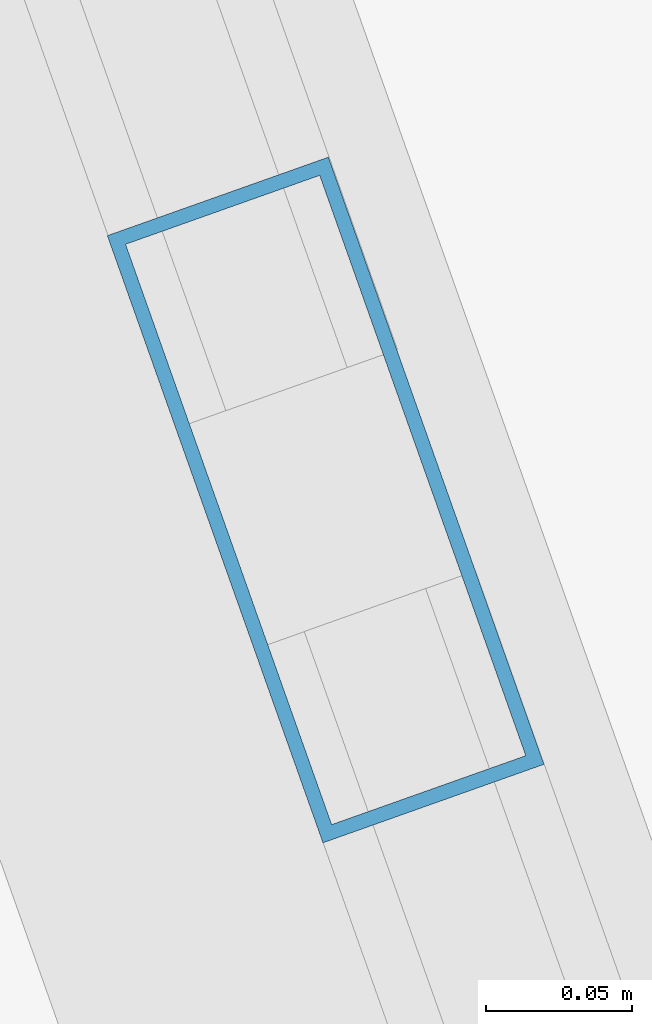
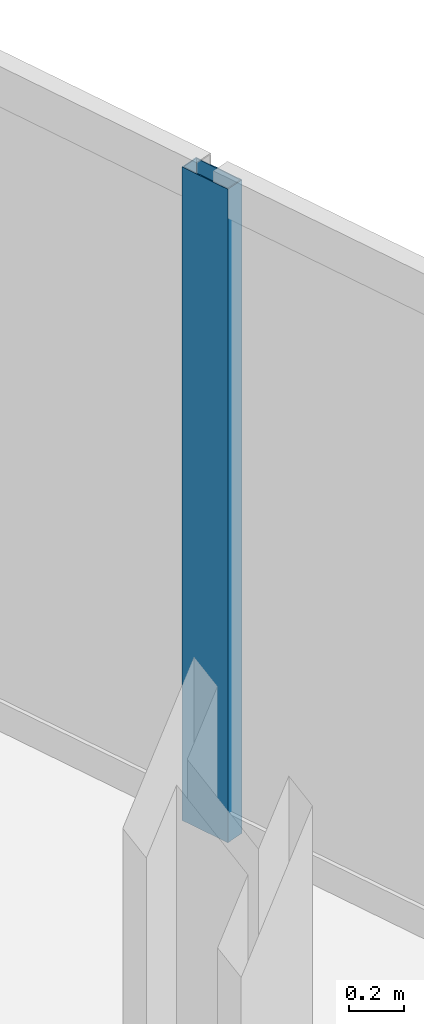
# One storey, part 14 of 33: 1 member, 1 element without a shape of its own.
"""IFC4 building model written with IfcOpenShell, lengths in metres."""

from ifc_helpers import new_model, si_unit, direction, frame, origin, origin_2d, place, context, subcontext, project, spatial, hollow_rectangle, extrude, material, material_profile, profile_set, type_object, element, aggregate, save


model = new_model("IFC4")

# Units and contexts
model_context = context("Model", 3, precision=1e-05, world=origin(), true_north=direction((0.0, 1.0)))
body_context = subcontext(model_context, "Body", "Model", "MODEL_VIEW")
ifc_project = project(units=[si_unit("LENGTHUNIT", "METRE"), si_unit("AREAUNIT", "SQUARE_METRE"), si_unit("VOLUMEUNIT", "CUBIC_METRE"), si_unit("PLANEANGLEUNIT", "RADIAN"), si_unit("MASSUNIT", "GRAM", prefix="KILO")], contexts=[model_context])

# Site, building, storey
site_placement = place(None, origin())
site = spatial("IfcSite", under=ifc_project, at=site_placement, CompositionType="ELEMENT")
building_placement = place(site_placement, origin())
building = spatial("IfcBuilding", under=site, at=building_placement, Name="Haldenkirk Collegiate Tower", CompositionType="ELEMENT")
storey_placement = place(building_placement, frame((0.0, 0.0, 94.199951171875)))
storey = spatial("IfcBuildingStorey", under=building, at=storey_placement, Name="L22", CompositionType="ELEMENT", Elevation=94.199951171875)

# Curtain wall, member
ifc_material = material(Name="Anodised architectural bronze aluminium", Category="aluminium")
curtain_wall_type = type_object("IfcCurtainWallType", Name="CW-SYS1-CONVEX-LOW", PredefinedType="USERDEFINED", material=ifc_material)
curtain_wall_placement = place(storey_placement, origin())
curtain_wall = element("IfcCurtainWall", 1, at=curtain_wall_placement, inside=storey, type_object=curtain_wall_type, Name="L22 Lower tower convex bronze-framed unitised curtain wall", ObjectType="UNITISED CURTAIN WALL", PredefinedType="USERDEFINED")
ifc_material_profile = material_profile(ifc_material, hollow_rectangle(XDim=0.080078125, YDim=0.219970703125, WallThickness=0.0048828125, at=origin_2d()), Name="CW-MUL-1A")
ifc_profile_set = profile_set([ifc_material_profile], Name="Anodised architectural bronze aluminium")
member_type = type_object("IfcMemberType", Name="CW-MUL-1A", PredefinedType="MULLION", material=ifc_profile_set)
member_placement = place(storey_placement, frame((63.65478515625, 25.579833984375, 0.0), z_axis=(0.0, 0.0, 1.0), x_axis=(0.942349846687, 0.334629297058, 0.0)))
member = element("IfcMember", 2, at=member_placement, type_object=member_type, Name="CW-1A mullion 4", PredefinedType="MULLION", context=body_context, shape_type="SweptSolid", body=[
    extrude(hollow_rectangle(XDim=0.080078125, YDim=0.219970703125, WallThickness=0.0048828125, at=origin_2d()), origin(), (0.0, 0.0, 1.0), 2.901123046875),
])
aggregate(curtain_wall, [member])

save(model, "model.ifc")
